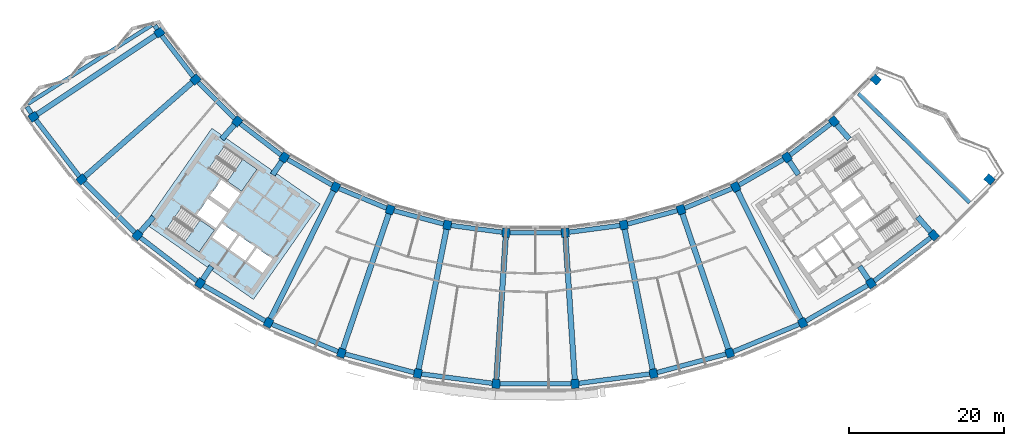
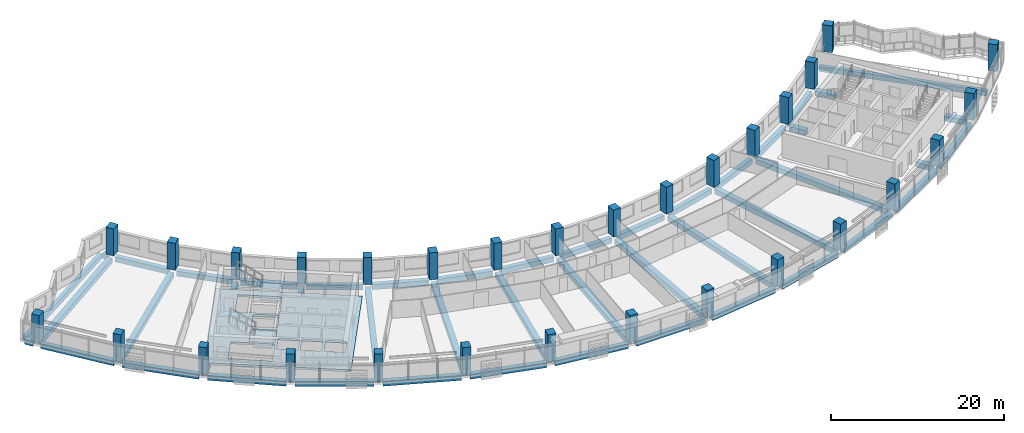
# One storey, part 1 of 29: 48 beams, 30 columns, 3 slabs, 2 elements without a shape of their own.
"""IFC4 building model written with IfcOpenShell, lengths in metres."""

from ifc_helpers import new_model, si_unit, direction, frame, origin, origin_2d, place, context, subcontext, project, spatial, polyline, rectangle, outline, extrude, material, layer, layer_set, material_profile, profile_set, type_object, element, aggregate, save


model = new_model("IFC4")

# Units and contexts
model_context = context("Model", 3, precision=1e-05, world=origin(), true_north=direction((0.0, 1.0)))
body_context = subcontext(model_context, "Body", "Model", "MODEL_VIEW")
ifc_project = project(units=[si_unit("LENGTHUNIT", "METRE"), si_unit("AREAUNIT", "SQUARE_METRE"), si_unit("VOLUMEUNIT", "CUBIC_METRE"), si_unit("PLANEANGLEUNIT", "RADIAN"), si_unit("MASSUNIT", "GRAM", prefix="KILO")], contexts=[model_context])

# Site, building, storey
site_placement = place(None, origin())
site = spatial("IfcSite", under=ifc_project, at=site_placement, CompositionType="ELEMENT")
building_placement = place(site_placement, origin())
building = spatial("IfcBuilding", under=site, at=building_placement, Name="Qamariyya Broadcast Tower", CompositionType="ELEMENT")
storey_placement = place(building_placement, frame((0.0, 0.0, 207.5)))
storey = spatial("IfcBuildingStorey", under=building, at=storey_placement, Name="L49", CompositionType="ELEMENT", Elevation=207.5)

# Columns
ifc_material_1 = material(Name="Concrete C60/75", Category="concrete")
ifc_material_profile_1 = material_profile(ifc_material_1, rectangle(XDim=1.0, YDim=1.14990234375, at=origin_2d()))
ifc_profile_set_1 = profile_set([ifc_material_profile_1], Name="Concrete C60/75")
column_type = type_object("IfcColumnType", Name="RC column 1000 x 1150 C60/75", PredefinedType="COLUMN", material=ifc_profile_set_1)
for number, where, z_axis, x_axis, name in (
    (1, (-48.43310546875, -32.362060546875, 0.0), (0.0, 0.0, 1.0), (0.55557023302, -0.831469612303, 0.0), "Column C11 L49 B-R03"),
    (2, (-64.646728515625, -43.195556640625, 0.0), (0.0, 0.0, 1.0), (0.55557023302, -0.831469612303, 0.0), "Column C11 L49 C-R03"),
    (3, (-43.794677734375, -38.406982421875, 0.0), (0.0, 0.0, 1.0), (0.6593458151, -0.751839807479, 0.0), "Column C11 L49 B-R04"),
    (4, (-58.45556640625, -51.26416015625, 0.0), (0.0, 0.0, 1.0), (0.6593458151, -0.751839807479, 0.0), "Column C11 L49 C-R04"),
    (5, (-38.406982421875, -43.794677734375, 0.0), (0.0, 0.0, 1.0), (0.751839807479, -0.6593458151, 0.0), "Column C11 L49 B-R05"),
    (6, (-51.26416015625, -58.45556640625, 0.0), (0.0, 0.0, 1.0), (0.751839807479, -0.6593458151, 0.0), "Column C11 L49 C-R05"),
    (7, (-32.362060546875, -48.43310546875, 0.0), (0.0, 0.0, 1.0), (0.831469612303, -0.55557023302, 0.0), "Column C11 L49 B-R06"),
    (8, (-43.195556640625, -64.646728515625, 0.0), (0.0, 0.0, 1.0), (0.831469612303, -0.55557023302, 0.0), "Column C11 L49 C-R06"),
    (9, (-25.763427734375, -52.242919921875, 0.0), (0.0, 0.0, 1.0), (0.896872741533, -0.442288690219, 0.0), "Column C11 L49 B-R07"),
    (10, (-34.387939453125, -69.73193359375, 0.0), (0.0, 0.0, 1.0), (0.896872741533, -0.442288690219, 0.0), "Column C11 L49 C-R07"),
    (11, (-18.723876953125, -55.15869140625, 0.0), (0.0, 0.0, 1.0), (0.946930129495, -0.321439465303, 0.0), "Column C11 L49 B-R08"),
    (12, (-24.991943359375, -73.623779296875, 0.0), (0.0, 0.0, 1.0), (0.946930129495, -0.321439465303, 0.0), "Column C11 L49 C-R08"),
    (13, (-11.364013671875, -57.130859375, 0.0), (0.0, 0.0, 1.0), (0.980785280403, -0.195090322016, 0.0), "Column C11 L49 B-R09"),
    (14, (-15.168212890625, -76.256103515625, 0.0), (0.0, 0.0, 1.0), (0.980785280403, -0.195090322016, 0.0), "Column C11 L49 C-R09"),
    (15, (-3.809814453125, -58.125244140625, 0.0), (0.0, 0.0, 1.0), (0.997858923239, -0.06540312923, 0.0), "Column C11 L49 B-R10"),
    (16, (-5.085205078125, -77.58349609375, 0.0), (0.0, 0.0, 1.0), (0.997858923239, -0.06540312923, 0.0), "Column C11 L49 C-R10"),
    (17, (3.809814453125, -58.125244140625, 0.0), (0.0, 0.0, 1.0), (0.997858923239, 0.06540312923, 0.0), "Column C11 L49 B-R11"),
    (18, (5.085205078125, -77.58349609375, 0.0), (0.0, 0.0, 1.0), (0.997858923239, 0.06540312923, 0.0), "Column C11 L49 C-R11"),
    (19, (11.364013671875, -57.130859375, 0.0), (0.0, 0.0, 1.0), (0.980785280403, 0.195090322016, 0.0), "Column C11 L49 B-R12"),
    (20, (15.168212890625, -76.256103515625, 0.0), (0.0, 0.0, 1.0), (0.980785280403, 0.195090322016, 0.0), "Column C11 L49 C-R12"),
    (21, (18.723876953125, -55.15869140625, 0.0), (0.0, 0.0, 1.0), (0.946930129495, 0.321439465303, 0.0), "Column C11 L49 B-R13"),
    (22, (24.991943359375, -73.623779296875, 0.0), (0.0, 0.0, 1.0), (0.946930129495, 0.321439465303, 0.0), "Column C11 L49 C-R13"),
    (23, (25.763427734375, -52.242919921875, 0.0), (0.0, 0.0, 1.0), (0.896872741533, 0.442288690219, 0.0), "Column C11 L49 B-R14"),
    (24, (34.387939453125, -69.73193359375, 0.0), (0.0, 0.0, 1.0), (0.896872741533, 0.442288690219, 0.0), "Column C11 L49 C-R14"),
    (25, (32.362060546875, -48.43310546875, 0.0), (0.0, 0.0, 1.0), (0.831469612303, 0.55557023302, 0.0), "Column C11 L49 B-R15"),
    (26, (43.195556640625, -64.646728515625, 0.0), (0.0, 0.0, 1.0), (0.831469612303, 0.55557023302, 0.0), "Column C11 L49 C-R15"),
    (27, (38.406982421875, -43.794677734375, 0.0), (0.0, 0.0, 1.0), (0.751839807479, 0.6593458151, 0.0), "Column C11 L49 B-R16"),
    (28, (51.26416015625, -58.45556640625, 0.0), (0.0, 0.0, 1.0), (0.751839807479, 0.6593458151, 0.0), "Column C11 L49 C-R16"),
    (29, (43.794677734375, -38.406982421875, 0.0), (0.0, 0.0, 1.0), (0.6593458151, 0.751839807479, 0.0), "Column C11 L49 B-R17"),
    (30, (58.45556640625, -51.26416015625, 0.0), (0.0, 0.0, 1.0), (0.6593458151, 0.751839807479, 0.0), "Column C11 L49 C-R17"),
):
    element("IfcColumn", number, at=place(storey_placement, frame(where, z_axis=z_axis, x_axis=x_axis)), inside=storey, type_object=column_type, Name=name, PredefinedType="COLUMN", context=body_context, shape_type="SweptSolid", body=[
        extrude(rectangle(XDim=1.0, YDim=1.14990234375, at=origin_2d()), origin(), (0.0, 0.0, 1.0), 3.800048828125),
    ])

# Beams
ifc_material_2 = material(Name="Concrete C40/50", Category="concrete")
ifc_material_profile_2 = material_profile(ifc_material_2, rectangle(XDim=0.60009765625, YDim=0.699951171875, at=origin_2d()))
ifc_profile_set_2 = profile_set([ifc_material_profile_2], Name="Concrete C40/50")
beam_type_1 = type_object("IfcBeamType", Name="RC edge beam 600 x 700 C40/50", PredefinedType="SPANDREL", material=ifc_profile_set_2)
for number, where, z_axis, x_axis, name in (
    (31, (-48.128173828125, -32.759521484375, -0.64990234375), (0.608788546151, -0.79333253184, 0.0), (0.79333253184, 0.608788546151, 0.0), "Edge beam B20 L49 B R03-R04"),
    (32, (-43.4404296875, -38.76123046875, -0.64990234375), (0.707106781187, -0.707106781187, 0.0), (0.707106781187, 0.707106781187, 0.0), "Edge beam B20 L49 B R04-R05"),
    (33, (-38.00927734375, -44.099609375, -0.64990234375), (0.79333253184, -0.608788546151, 0.0), (0.608788546151, 0.79333253184, 0.0), "Edge beam B20 L49 B R05-R06"),
):
    element("IfcBeam", number, at=place(storey_placement, frame(where, z_axis=z_axis, x_axis=x_axis)), inside=storey, type_object=beam_type_1, Name=name, PredefinedType="SPANDREL", context=body_context, shape_type="SweptSolid", body=[
        extrude(rectangle(XDim=0.60009765625, YDim=0.699951171875, at=origin_2d()), origin(), (0.0, 0.0, 1.0), 6.617431640625),
    ])
for number, where, z_axis, x_axis, name in (
    (34, (-31.927978515625, -48.68359375, -0.64990234375), (0.866027686223, -0.499996046679, 0.0), (0.499996046679, 0.866027686223, 0.0), "Edge beam B20 L49 B R06-R07"),
    (35, (-25.30029296875, -52.4345703125, -0.64990234375), (0.923870685948, -0.382704789159, 0.0), (0.382704789159, 0.923870685948, 0.0), "Edge beam B20 L49 B R07-R08"),
):
    element("IfcBeam", number, at=place(storey_placement, frame(where, z_axis=z_axis, x_axis=x_axis)), inside=storey, type_object=beam_type_1, Name=name, PredefinedType="SPANDREL", context=body_context, shape_type="SweptSolid", body=[
        extrude(rectangle(XDim=0.60009765625, YDim=0.699951171875, at=origin_2d()), origin(), (0.0, 0.0, 1.0), 6.6171875),
    ])
for number, where, z_axis, x_axis, name in (
    (36, (-18.23974609375, -55.288330078125, -0.64990234375), (0.965927466282, -0.258812924486, 0.0), (0.258812924486, 0.965927466282, 0.0), "Edge beam B20 L49 B R08-R09"),
    (37, (-10.8671875, -57.196044921875, -0.64990234375), (0.991444372314, -0.130529906942, 0.0), (0.130529906942, 0.991444372314, 0.0), "Edge beam B20 L49 B R09-R10"),
):
    element("IfcBeam", number, at=place(storey_placement, frame(where, z_axis=z_axis, x_axis=x_axis)), inside=storey, type_object=beam_type_1, Name=name, PredefinedType="SPANDREL", context=body_context, shape_type="SweptSolid", body=[
        extrude(rectangle(XDim=0.60009765625, YDim=0.699951171875, at=origin_2d()), origin(), (0.0, 0.0, 1.0), 6.617431640625),
    ])
beam_1_placement = place(storey_placement, frame((-3.30859375, -58.125244140625, -0.64990234375), z_axis=(1.0, 0.0, 0.0), x_axis=(0.0, 1.0, 0.0)))
element("IfcBeam", 38, at=beam_1_placement, inside=storey, type_object=beam_type_1, Name="Edge beam B20 L49 B R10-R11", PredefinedType="SPANDREL", context=body_context, shape_type="SweptSolid", body=[
    extrude(rectangle(XDim=0.60009765625, YDim=0.699951171875, at=origin_2d()), origin(), (0.0, 0.0, 1.0), 6.6171875),
])
for number, where, z_axis, x_axis, name in (
    (39, (4.306396484375, -58.059814453125, -0.64990234375), (0.991444372314, 0.130529906942, 0.0), (-0.130529906942, 0.991444372314, 0.0), "Edge beam B20 L49 B R11-R12"),
    (40, (11.847900390625, -57.0009765625, -0.64990234375), (0.965927466282, 0.258812924486, 0.0), (-0.258812924486, 0.965927466282, 0.0), "Edge beam B20 L49 B R12-R13"),
):
    element("IfcBeam", number, at=place(storey_placement, frame(where, z_axis=z_axis, x_axis=x_axis)), inside=storey, type_object=beam_type_1, Name=name, PredefinedType="SPANDREL", context=body_context, shape_type="SweptSolid", body=[
        extrude(rectangle(XDim=0.60009765625, YDim=0.699951171875, at=origin_2d()), origin(), (0.0, 0.0, 1.0), 6.617431640625),
    ])
for number, where, z_axis, x_axis, name in (
    (41, (19.186767578125, -54.967041015625, -0.64990234375), (0.923870685948, 0.382704789159, 0.0), (-0.382704789159, 0.923870685948, 0.0), "Edge beam B20 L49 B R13-R14"),
    (42, (26.197265625, -51.9921875, -0.64990234375), (0.866027686223, 0.499996046679, 0.0), (-0.499996046679, 0.866027686223, 0.0), "Edge beam B20 L49 B R14-R15"),
):
    element("IfcBeam", number, at=place(storey_placement, frame(where, z_axis=z_axis, x_axis=x_axis)), inside=storey, type_object=beam_type_1, Name=name, PredefinedType="SPANDREL", context=body_context, shape_type="SweptSolid", body=[
        extrude(rectangle(XDim=0.60009765625, YDim=0.699951171875, at=origin_2d()), origin(), (0.0, 0.0, 1.0), 6.6171875),
    ])
beam_2_placement = place(storey_placement, frame((32.759521484375, -48.128173828125, -0.64990234375), z_axis=(0.79333253184, 0.608788546151, 0.0), x_axis=(-0.608788546151, 0.79333253184, 0.0)))
element("IfcBeam", 43, at=beam_2_placement, inside=storey, type_object=beam_type_1, Name="Edge beam B20 L49 B R15-R16", PredefinedType="SPANDREL", context=body_context, shape_type="SweptSolid", body=[
    extrude(rectangle(XDim=0.60009765625, YDim=0.699951171875, at=origin_2d()), origin(), (0.0, 0.0, 1.0), 6.617431640625),
])
for number, where, z_axis, x_axis, name in (
    (44, (-64.341796875, -43.593017578125, -0.64990234375), (0.608761882331, -0.793352992445, 0.0), (0.793352992445, 0.608761882331, 0.0), "Edge beam B20 L49 C R03-R04"),
    (45, (-58.101318359375, -51.618408203125, -0.64990234375), (0.707106781187, -0.707106781187, 0.0), (0.707106781187, 0.707106781187, 0.0), "Edge beam B20 L49 C R04-R05"),
    (46, (-50.86669921875, -58.760498046875, -0.64990234375), (0.793352992445, -0.608761882331, 0.0), (0.608761882331, 0.793352992445, 0.0), "Edge beam B20 L49 C R05-R06"),
    (47, (-42.76171875, -64.897216796875, -0.64990234375), (0.866032154434, -0.49998830735, 0.0), (0.49998830735, 0.866032154434, 0.0), "Edge beam B20 L49 C R06-R07"),
    (48, (-33.925048828125, -69.923583984375, -0.64990234375), (0.923876946533, -0.382689675409, 0.0), (0.382689675409, 0.923876946533, 0.0), "Edge beam B20 L49 C R07-R08"),
):
    element("IfcBeam", number, at=place(storey_placement, frame(where, z_axis=z_axis, x_axis=x_axis)), inside=storey, type_object=beam_type_1, Name=name, PredefinedType="SPANDREL", context=body_context, shape_type="SweptSolid", body=[
        extrude(rectangle(XDim=0.60009765625, YDim=0.699951171875, at=origin_2d()), origin(), (0.0, 0.0, 1.0), 9.168212890625),
    ])
for number, where, z_axis, x_axis, name in (
    (49, (-24.5078125, -73.75341796875, -0.64990234375), (0.965919522093, -0.258842571536, 0.0), (0.258842571536, 0.965919522093, 0.0), "Edge beam B20 L49 C R08-R09"),
    (50, (-14.67138671875, -76.321533203125, -0.64990234375), (0.991446770895, -0.130511687147, 0.0), (0.130511687147, 0.991446770895, 0.0), "Edge beam B20 L49 C R09-R10"),
    (51, (-4.583984375, -77.58349609375, -0.64990234375), (1.0, 0.0, 0.0), (0.0, 1.0, 0.0), "Edge beam B20 L49 C R10-R11"),
    (52, (5.581787109375, -77.51806640625, -0.64990234375), (0.991446770895, 0.130511687147, 0.0), (-0.130511687147, 0.991446770895, 0.0), "Edge beam B20 L49 C R11-R12"),
    (53, (15.65234375, -76.12646484375, -0.64990234375), (0.965919522093, 0.258842571536, 0.0), (-0.258842571536, 0.965919522093, 0.0), "Edge beam B20 L49 C R12-R13"),
):
    element("IfcBeam", number, at=place(storey_placement, frame(where, z_axis=z_axis, x_axis=x_axis)), inside=storey, type_object=beam_type_1, Name=name, PredefinedType="SPANDREL", context=body_context, shape_type="SweptSolid", body=[
        extrude(rectangle(XDim=0.60009765625, YDim=0.699951171875, at=origin_2d()), origin(), (0.0, 0.0, 1.0), 9.16796875),
    ])
for number, where, z_axis, x_axis, name in (
    (54, (25.454833984375, -73.43212890625, -0.64990234375), (0.923876946533, 0.382689675409, 0.0), (-0.382689675409, 0.923876946533, 0.0), "Edge beam B20 L49 C R13-R14"),
    (55, (34.82177734375, -69.481201171875, -0.64990234375), (0.866032154434, 0.49998830735, 0.0), (-0.49998830735, 0.866032154434, 0.0), "Edge beam B20 L49 C R14-R15"),
    (56, (43.593017578125, -64.341796875, -0.64990234375), (0.793352992445, 0.608761882331, 0.0), (-0.608761882331, 0.793352992445, 0.0), "Edge beam B20 L49 C R15-R16"),
):
    element("IfcBeam", number, at=place(storey_placement, frame(where, z_axis=z_axis, x_axis=x_axis)), inside=storey, type_object=beam_type_1, Name=name, PredefinedType="SPANDREL", context=body_context, shape_type="SweptSolid", body=[
        extrude(rectangle(XDim=0.60009765625, YDim=0.699951171875, at=origin_2d()), origin(), (0.0, 0.0, 1.0), 9.168212890625),
    ])
ifc_material_profile_3 = material_profile(ifc_material_2, rectangle(XDim=0.60009765625, YDim=0.699951171875, at=origin_2d()))
ifc_profile_set_3 = profile_set([ifc_material_profile_3], Name="Concrete C40/50")
beam_type_2 = type_object("IfcBeamType", Name="RC horn beam 600 x 700 C40/50", PredefinedType="BEAM", material=ifc_profile_set_3)
beam_3_placement = place(storey_placement, frame((-48.7060546875, -31.943115234375, -0.64990234375), z_axis=(-0.545819729145, 0.83790263353, 0.0), x_axis=(-0.83790263353, -0.545819729145, 0.0)))
element("IfcBeam", 57, at=beam_3_placement, inside=storey, type_object=beam_type_2, Name="Horn beam B19 L49 W B-R03", PredefinedType="BEAM", context=body_context, shape_type="SweptSolid", body=[
    extrude(rectangle(XDim=0.60009765625, YDim=0.699951171875, at=origin_2d()), origin(), (0.0, 0.0, 1.0), 0.598388671875),
])
beam_4_placement = place(storey_placement, frame((-64.919677734375, -42.776611328125, -0.64990234375), z_axis=(-0.545976932793, 0.837800208199, 0.0), x_axis=(-0.837800208199, -0.545976932793, 0.0)))
element("IfcBeam", 58, at=beam_4_placement, inside=storey, type_object=beam_type_2, Name="Horn beam B19 L49 W C-R03", PredefinedType="BEAM", context=body_context, shape_type="SweptSolid", body=[
    extrude(rectangle(XDim=0.60009765625, YDim=0.699951171875, at=origin_2d()), origin(), (0.0, 0.0, 1.0), 1.050048828125),
])
ifc_material_profile_4 = material_profile(ifc_material_2, rectangle(XDim=0.5, YDim=0.699951171875, at=origin_2d()))
ifc_profile_set_4 = profile_set([ifc_material_profile_4], Name="Concrete C40/50")
beam_type_3 = type_object("IfcBeamType", Name="RC horn cap beam 500 x 700 C40/50", PredefinedType="BEAM", material=ifc_profile_set_4)
beam_5_placement = place(storey_placement, frame((-49.42236328125, -31.39306640625, -0.64990234375), z_axis=(-0.844110647072, -0.53616901766, 0.0), x_axis=(0.53616901766, -0.844110647072, 0.0)))
element("IfcBeam", 59, at=beam_5_placement, inside=storey, type_object=beam_type_3, Name="Horn cap beam B21 L49 W B-C", PredefinedType="BEAM", context=body_context, shape_type="SweptSolid", body=[
    extrude(rectangle(XDim=0.5, YDim=0.699951171875, at=origin_2d()), origin(), (0.0, 0.0, 1.0), 18.89990234375),
])
ifc_material_profile_5 = material_profile(ifc_material_2, rectangle(XDim=0.699951171875, YDim=0.699951171875, at=origin_2d()))
ifc_profile_set_5 = profile_set([ifc_material_profile_5], Name="Concrete C40/50")
beam_type_4 = type_object("IfcBeamType", Name="RC radial beam 700 x 700 C40/50", PredefinedType="BEAM", material=ifc_profile_set_5)
beam_6_placement = place(storey_placement, frame((-48.9111328125, -32.681396484375, -0.64990234375), z_axis=(-0.831468530479, -0.55557185208, 0.0), x_axis=(0.55557185208, -0.831468530479, 0.0)))
element("IfcBeam", 60, at=beam_6_placement, inside=storey, type_object=beam_type_4, Name="Radial beam B18 L49 R03 B-C", PredefinedType="BEAM", context=body_context, shape_type="SweptSolid", body=[
    extrude(rectangle(XDim=0.699951171875, YDim=0.699951171875, at=origin_2d()), origin(), (0.0, 0.0, 1.0), 18.35009765625),
])
beam_7_placement = place(storey_placement, frame((-44.22705078125, -38.7861328125, -0.64990234375), z_axis=(-0.751840222646, -0.659345341692, 0.0), x_axis=(0.659345341692, -0.751840222646, 0.0)))
element("IfcBeam", 61, at=beam_7_placement, inside=storey, type_object=beam_type_4, Name="Radial beam B18 L49 R04 B-C", PredefinedType="BEAM", context=body_context, shape_type="SweptSolid", body=[
    extrude(rectangle(XDim=0.699951171875, YDim=0.699951171875, at=origin_2d()), origin(), (0.0, 0.0, 1.0), 18.349853515625),
])
beam_8_placement = place(storey_placement, frame((-38.7861328125, -44.22705078125, -0.64990234375), z_axis=(-0.659347500472, -0.751838329444, 0.0), x_axis=(0.751838329444, -0.659347500472, 0.0)))
element("IfcBeam", 62, at=beam_8_placement, inside=storey, type_object=beam_type_4, Name="Radial beam B18 L49 R05 B-C", PredefinedType="BEAM", context=body_context, shape_type="SweptSolid", body=[
    extrude(rectangle(XDim=0.699951171875, YDim=0.699951171875, at=origin_2d()), origin(), (0.0, 0.0, 1.0), 2.43896484375),
])
beam_9_placement = place(storey_placement, frame((-49.1943359375, -56.095458984375, -0.64990234375), z_axis=(-0.65936701245, -0.751821217373, 0.0), x_axis=(0.751821217373, -0.65936701245, 0.0)))
element("IfcBeam", 63, at=beam_9_placement, inside=storey, type_object=beam_type_4, Name="Radial beam B18 L49 R05 B-C", PredefinedType="BEAM", context=body_context, shape_type="SweptSolid", body=[
    extrude(rectangle(XDim=0.699951171875, YDim=0.699951171875, at=origin_2d()), origin(), (0.0, 0.0, 1.0), 2.56396484375),
])
beam_10_placement = place(storey_placement, frame((-32.681396484375, -48.9111328125, -0.64990234375), z_axis=(-0.555589685374, -0.831456614326, 0.0), x_axis=(0.831456614326, -0.555589685374, 0.0)))
element("IfcBeam", 64, at=beam_10_placement, inside=storey, type_object=beam_type_4, Name="Radial beam B18 L49 R06 B-C", PredefinedType="BEAM", context=body_context, shape_type="SweptSolid", body=[
    extrude(rectangle(XDim=0.699951171875, YDim=0.699951171875, at=origin_2d()), origin(), (0.0, 0.0, 1.0), 2.08935546875),
])
beam_11_placement = place(storey_placement, frame((-41.733154296875, -62.458251953125, -0.64990234375), z_axis=(-0.555630982199, -0.831429017788, 0.0), x_axis=(0.831429017788, -0.555630982199, 0.0)))
element("IfcBeam", 65, at=beam_11_placement, inside=storey, type_object=beam_type_4, Name="Radial beam B18 L49 R06 B-C", PredefinedType="BEAM", context=body_context, shape_type="SweptSolid", body=[
    extrude(rectangle(XDim=0.699951171875, YDim=0.699951171875, at=origin_2d()), origin(), (0.0, 0.0, 1.0), 2.05712890625),
])
beam_12_placement = place(storey_placement, frame((-26.017578125, -52.758544921875, -0.64990234375), z_axis=(-0.442289405452, -0.896872388819, 0.0), x_axis=(0.896872388819, -0.442289405452, 0.0)))
element("IfcBeam", 66, at=beam_12_placement, inside=storey, type_object=beam_type_4, Name="Radial beam B18 L49 R07 B-C", PredefinedType="BEAM", context=body_context, shape_type="SweptSolid", body=[
    extrude(rectangle(XDim=0.699951171875, YDim=0.699951171875, at=origin_2d()), origin(), (0.0, 0.0, 1.0), 18.349853515625),
])
for number, where, z_axis, x_axis, name in (
    (67, (-18.90869140625, -55.703125, -0.64990234375), (-0.321439728167, -0.946930040265, 0.0), (0.946930040265, -0.321439728167, 0.0), "Radial beam B18 L49 R08 B-C"),
    (68, (-11.47607421875, -57.694580078125, -0.64990234375), (-0.195097720648, -0.980783808695, 0.0), (0.980783808695, -0.195097720648, 0.0), "Radial beam B18 L49 R09 B-C"),
    (69, (-3.847412109375, -58.698974609375, -0.64990234375), (-0.065405444204, -0.997858771505, 0.0), (0.997858771505, -0.065405444204, 0.0), "Radial beam B18 L49 R10 B-C"),
    (70, (3.847412109375, -58.698974609375, -0.64990234375), (0.065405444204, -0.997858771505, 0.0), (0.997858771505, 0.065405444204, 0.0), "Radial beam B18 L49 R11 B-C"),
    (71, (11.47607421875, -57.694580078125, -0.64990234375), (0.195097720648, -0.980783808695, 0.0), (0.980783808695, 0.195097720648, 0.0), "Radial beam B18 L49 R12 B-C"),
    (72, (18.90869140625, -55.703125, -0.64990234375), (0.321439728167, -0.946930040265, 0.0), (0.946930040265, 0.321439728167, 0.0), "Radial beam B18 L49 R13 B-C"),
):
    element("IfcBeam", number, at=place(storey_placement, frame(where, z_axis=z_axis, x_axis=x_axis)), inside=storey, type_object=beam_type_4, Name=name, PredefinedType="BEAM", context=body_context, shape_type="SweptSolid", body=[
        extrude(rectangle(XDim=0.699951171875, YDim=0.699951171875, at=origin_2d()), origin(), (0.0, 0.0, 1.0), 18.35009765625),
    ])
beam_13_placement = place(storey_placement, frame((26.017578125, -52.758544921875, -0.64990234375), z_axis=(0.442289405452, -0.896872388819, 0.0), x_axis=(0.896872388819, 0.442289405452, 0.0)))
element("IfcBeam", 73, at=beam_13_placement, inside=storey, type_object=beam_type_4, Name="Radial beam B18 L49 R14 B-C", PredefinedType="BEAM", context=body_context, shape_type="SweptSolid", body=[
    extrude(rectangle(XDim=0.699951171875, YDim=0.699951171875, at=origin_2d()), origin(), (0.0, 0.0, 1.0), 18.349853515625),
])
beam_14_placement = place(storey_placement, frame((32.681396484375, -48.9111328125, -0.64990234375), z_axis=(0.555589685374, -0.831456614326, 0.0), x_axis=(0.831456614326, 0.555589685374, 0.0)))
element("IfcBeam", 74, at=beam_14_placement, inside=storey, type_object=beam_type_4, Name="Radial beam B18 L49 R15 B-C", PredefinedType="BEAM", context=body_context, shape_type="SweptSolid", body=[
    extrude(rectangle(XDim=0.699951171875, YDim=0.699951171875, at=origin_2d()), origin(), (0.0, 0.0, 1.0), 2.08935546875),
])
beam_15_placement = place(storey_placement, frame((41.733154296875, -62.458251953125, -0.64990234375), z_axis=(0.555630982199, -0.831429017788, 0.0), x_axis=(0.831429017788, 0.555630982199, 0.0)))
element("IfcBeam", 75, at=beam_15_placement, inside=storey, type_object=beam_type_4, Name="Radial beam B18 L49 R15 B-C", PredefinedType="BEAM", context=body_context, shape_type="SweptSolid", body=[
    extrude(rectangle(XDim=0.699951171875, YDim=0.699951171875, at=origin_2d()), origin(), (0.0, 0.0, 1.0), 2.05712890625),
])
beam_16_placement = place(storey_placement, frame((38.7861328125, -44.22705078125, -0.64990234375), z_axis=(0.659347500472, -0.751838329444, 0.0), x_axis=(0.751838329444, 0.659347500472, 0.0)))
element("IfcBeam", 76, at=beam_16_placement, inside=storey, type_object=beam_type_4, Name="Radial beam B18 L49 R16 B-C", PredefinedType="BEAM", context=body_context, shape_type="SweptSolid", body=[
    extrude(rectangle(XDim=0.699951171875, YDim=0.699951171875, at=origin_2d()), origin(), (0.0, 0.0, 1.0), 2.43896484375),
])
beam_17_placement = place(storey_placement, frame((49.1943359375, -56.095458984375, -0.64990234375), z_axis=(0.65936701245, -0.751821217373, 0.0), x_axis=(0.751821217373, 0.65936701245, 0.0)))
element("IfcBeam", 77, at=beam_17_placement, inside=storey, type_object=beam_type_4, Name="Radial beam B18 L49 R16 B-C", PredefinedType="BEAM", context=body_context, shape_type="SweptSolid", body=[
    extrude(rectangle(XDim=0.699951171875, YDim=0.699951171875, at=origin_2d()), origin(), (0.0, 0.0, 1.0), 2.56396484375),
])
ifc_material_profile_6 = material_profile(ifc_material_2, rectangle(XDim=0.5, YDim=0.699951171875, at=origin_2d()))
ifc_profile_set_6 = profile_set([ifc_material_profile_6], Name="Concrete C40/50")
beam_type_5 = type_object("IfcBeamType", Name="RC trimmer beam 500 x 700 C40/50", PredefinedType="BEAM", material=ifc_profile_set_6)
beam_18_placement = place(storey_placement, frame((41.567626953125, -40.216064453125, -0.64990234375), z_axis=(0.714469349822, -0.699666740788, 0.0), x_axis=(0.699666740788, 0.714469349822, 0.0)))
element("IfcBeam", 78, at=beam_18_placement, inside=storey, type_object=beam_type_5, Name="Trimmer beam B22 L49 void 1", PredefinedType="BEAM", context=body_context, shape_type="SweptSolid", body=[
    extrude(rectangle(XDim=0.5, YDim=0.699951171875, at=origin_2d()), origin(), (0.0, 0.0, 1.0), 20.0556640625),
])

# Slab
ifc_layer_1 = layer(ifc_material_2, 0.300048828125)
ifc_layer_set_1 = layer_set([ifc_layer_1], Name="Core floor slab 300 mm Concrete C40/50")
slab_type_1 = type_object("IfcSlabType", Name="Core floor slab 300 mm Concrete C40/50", PredefinedType="FLOOR", material=ifc_layer_set_1)
slab_1_placement = place(storey_placement, frame((0.0, 0.0, -0.300048828125)))
element("IfcSlab", 79, at=slab_1_placement, inside=storey, type_object=slab_type_1, Name="k-W-L49-slab", PredefinedType="FLOOR", context=body_context, shape_type="SweptSolid", body=[
    extrude(outline(polyline([(-50.286376953125, -56.95751953125), (-36.32373046875, -66.734375), (-27.719970703125, -54.447021484375), (-41.6826171875, -44.67041015625), (-50.286376953125, -56.95751953125)]), holes=[polyline([(-33.87353515625, -61.49169921875), (-35.88037109375, -60.08642578125), (-37.142333984375, -61.888427734375), (-35.13525390625, -63.293701171875), (-33.87353515625, -61.49169921875)]), polyline([(-36.126220703125, -59.914306640625), (-38.133056640625, -58.509033203125), (-39.394775390625, -60.311279296875), (-37.387939453125, -61.716552734375), (-36.126220703125, -59.914306640625)]), polyline([(-38.378662109375, -58.3369140625), (-40.3857421875, -56.931640625), (-41.6474609375, -58.73388671875), (-39.640625, -60.13916015625), (-38.378662109375, -58.3369140625)]), polyline([(-39.742431640625, -55.489990234375), (-42.199951171875, -53.769287109375), (-43.6337890625, -55.817138671875), (-41.17626953125, -57.537841796875), (-39.742431640625, -55.489990234375)]), polyline([(-39.45556640625, -55.080322265625), (-41.9130859375, -53.359619140625), (-40.47900390625, -51.311767578125), (-38.021728515625, -53.032470703125), (-39.45556640625, -55.080322265625)]), polyline([(-42.06103515625, -49.837890625), (-37.849609375, -52.78662109375), (-35.870849609375, -49.960693359375), (-40.082275390625, -47.01171875), (-42.06103515625, -49.837890625)]), polyline([(-47.538818359375, -57.66064453125), (-43.3271484375, -60.609619140625), (-41.348388671875, -57.783447265625), (-45.559814453125, -54.834716796875), (-47.538818359375, -57.66064453125)])]), origin(), (0.0, 0.0, 1.0), 0.300048828125),
])

# Stair, slab
ifc_material_3 = material(Name="Concrete C50/60", Category="concrete")
stair_type = type_object("IfcStairType", Name="Exit stair 22 risers of 173 mm", PredefinedType="HALF_TURN_STAIR", material=ifc_material_3)
stair_1_placement = place(storey_placement, origin())
stair_1 = element("IfcStair", 80, at=stair_1_placement, inside=storey, type_object=stair_type, Name="L49 Stair W2", PredefinedType="HALF_TURN_STAIR")
ifc_layer_2 = layer(ifc_material_3, 0.199951171875)
ifc_layer_set_2 = layer_set([ifc_layer_2], Name="Stair landing")
slab_type_2 = type_object("IfcSlabType", Name="Stair landing", PredefinedType="LANDING", material=ifc_layer_set_2)
slab_2_placement = place(storey_placement, frame((0.0, 0.0, 1.699951171875)))
slab_2 = element("IfcSlab", 81, at=slab_2_placement, type_object=slab_type_2, Name="ST-W2 landing 1", PredefinedType="LANDING", context=body_context, shape_type="SweptSolid", body=[
    extrude(outline(polyline([(-39.692138671875, -51.49658203125), (-37.849609375, -52.78662109375), (-35.870849609375, -49.960693359375), (-37.71337890625, -48.67041015625), (-39.692138671875, -51.49658203125)])), origin(), (0.0, 0.0, 1.0), 0.199951171875),
])
aggregate(stair_1, [slab_2])

stair_2_placement = place(storey_placement, origin())
stair_2 = element("IfcStair", 82, at=stair_2_placement, inside=storey, type_object=stair_type, Name="L49 Stair W1", PredefinedType="HALF_TURN_STAIR")
slab_3_placement = place(storey_placement, frame((0.0, 0.0, 1.699951171875)))
slab_3 = element("IfcSlab", 83, at=slab_3_placement, type_object=slab_type_2, Name="ST-W1 landing 1", PredefinedType="LANDING", context=body_context, shape_type="SweptSolid", body=[
    extrude(outline(polyline([(-45.169677734375, -59.319580078125), (-43.3271484375, -60.609619140625), (-41.348388671875, -57.783447265625), (-43.19091796875, -56.493408203125), (-45.169677734375, -59.319580078125)])), origin(), (0.0, 0.0, 1.0), 0.199951171875),
])
aggregate(stair_2, [slab_3])

save(model, "model.ifc")
